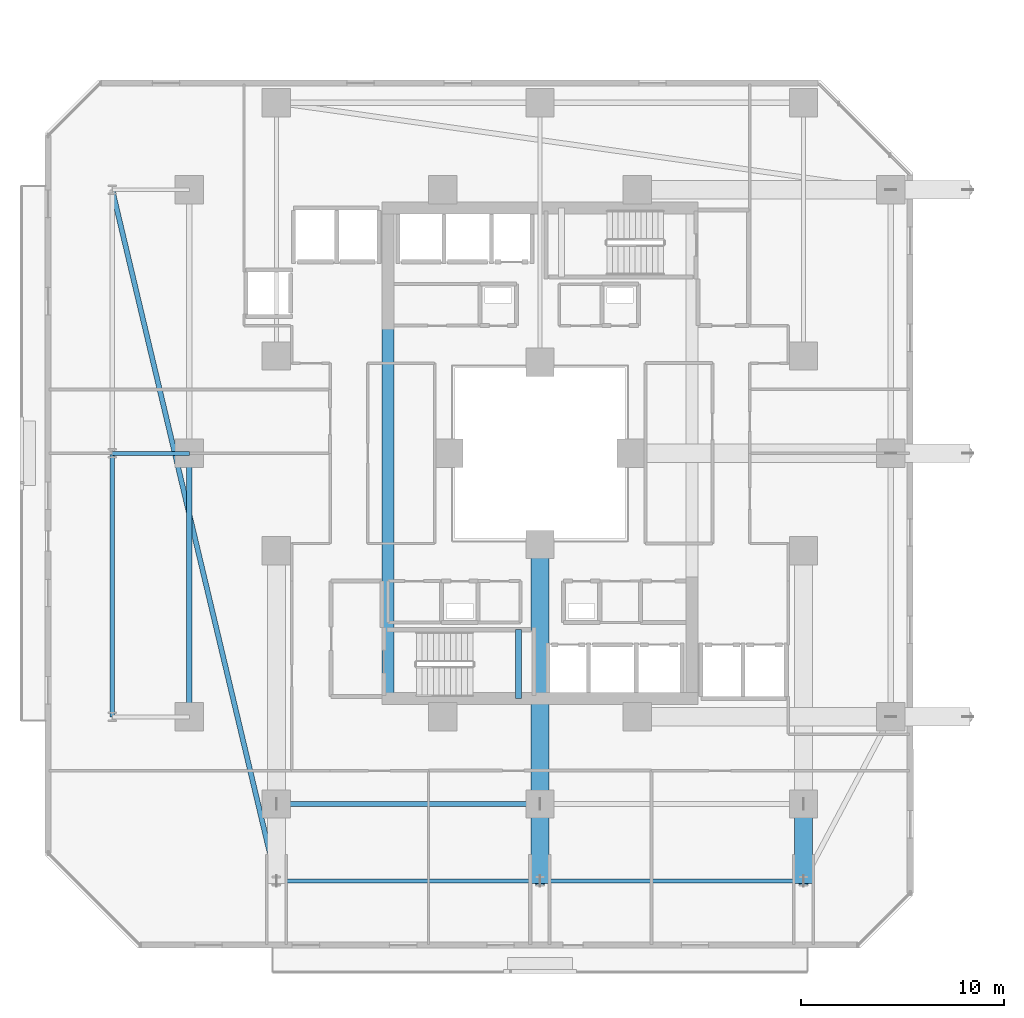
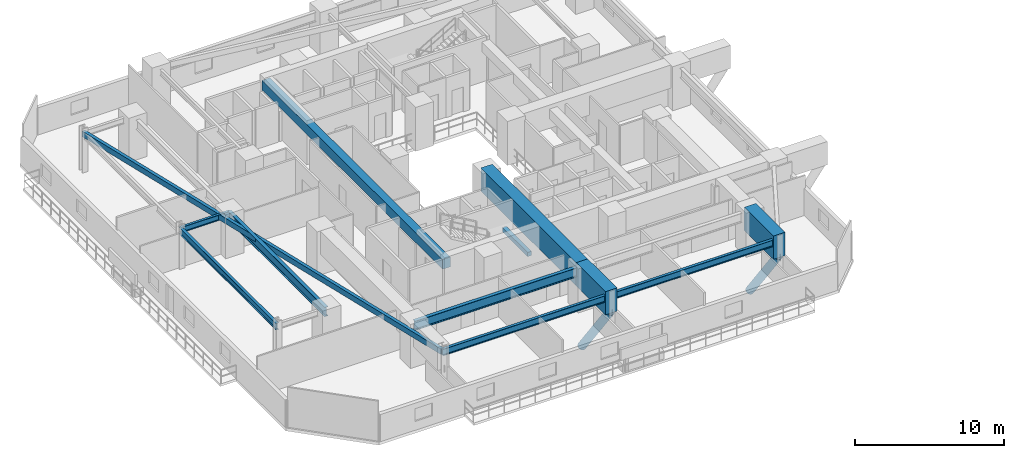
# One storey, part 4 of 36: 12 beams, 2 members.
"""IFC4 building model written with IfcOpenShell, lengths in metres."""

from ifc_helpers import new_model, si_unit, direction, frame, origin, origin_2d, place, context, subcontext, project, spatial, rectangle, hollow_rectangle, hollow_circle, i_section, extrude, material, material_profile, profile_set, type_object, element, save


model = new_model("IFC4")

# Units and contexts
model_context = context("Model", 3, precision=1e-05, world=origin(), true_north=direction((0.0, 1.0)))
body_context = subcontext(model_context, "Body", "Model", "MODEL_VIEW")
ifc_project = project(units=[si_unit("LENGTHUNIT", "METRE"), si_unit("AREAUNIT", "SQUARE_METRE"), si_unit("VOLUMEUNIT", "CUBIC_METRE"), si_unit("PLANEANGLEUNIT", "RADIAN"), si_unit("MASSUNIT", "GRAM", prefix="KILO")], contexts=[model_context])

# Site, building, storey
site_placement = place(None, origin())
site = spatial("IfcSite", under=ifc_project, at=site_placement, CompositionType="ELEMENT")
building_placement = place(site_placement, origin())
building = spatial("IfcBuilding", under=site, at=building_placement, Name="Thornwick Lancets Civic Towers", CompositionType="ELEMENT")
storey_placement = place(building_placement, frame((0.0, 0.0, 45.89990234375)))
storey = spatial("IfcBuildingStorey", under=building, at=storey_placement, Name="L11", CompositionType="ELEMENT", Elevation=45.89990234375)

# Beams
ifc_material_1 = material(Name="Concrete C60/75", Category="concrete")
ifc_material_profile_1 = material_profile(ifc_material_1, rectangle(XDim=0.60009765625, YDim=0.800048828125, at=origin_2d()), Name="RC 600x800")
ifc_profile_set_1 = profile_set([ifc_material_profile_1], Name="Concrete C60/75")
beam_type_1 = type_object("IfcBeamType", Name="BM_COUP_RC800", PredefinedType="BEAM", material=ifc_profile_set_1)
beam_1_placement = place(storey_placement, frame((18.0, 14.89990234375, 2.880126953125), z_axis=(0.0, 1.0, 0.0), x_axis=(-1.0, 0.0, 0.0)))
element("IfcBeam", 1, at=beam_1_placement, inside=storey, type_object=beam_type_1, Name="CB-L11-A2", PredefinedType="BEAM", context=body_context, shape_type="SweptSolid", body=[
    extrude(rectangle(XDim=0.60009765625, YDim=0.800048828125, at=origin_2d()), origin(), (0.0, 0.0, 1.0), 24.2001953125),
])
ifc_material_2 = material(Name="Steel S355JR", Category="steel")
ifc_material_profile_2 = material_profile(ifc_material_2, i_section(OverallWidth=0.2119140625, OverallDepth=0.54443359375, WebThickness=0.0126953125, FlangeThickness=0.021240234375, FilletRadius=0.0126953125, at=origin_2d()), Name="UKB 533x210x122")
ifc_profile_set_2 = profile_set([ifc_material_profile_2], Name="Steel S355JR")
beam_type_2 = type_object("IfcBeamType", Name="BM_EDGE_533_122", PredefinedType="SPANDREL", material=ifc_profile_set_2)
beam_2_placement = place(storey_placement, frame((12.5, 5.89990234375, 3.0078125), z_axis=(1.0, 0.0, 0.0), x_axis=(0.0, 1.0, 0.0)))
element("IfcBeam", 2, at=beam_2_placement, inside=storey, type_object=beam_type_2, Name="BM-EDGE-L11-A-S0-1", PredefinedType="SPANDREL", context=body_context, shape_type="SweptSolid", body=[
    extrude(i_section(OverallWidth=0.2119140625, OverallDepth=0.54443359375, WebThickness=0.0126953125, FlangeThickness=0.021240234375, FilletRadius=0.0126953125, at=origin_2d()), origin(), (0.0, 0.0, 1.0), 13.0),
])
beam_3_placement = place(storey_placement, frame((25.580078125, 5.89990234375, 3.0078125), z_axis=(1.0, 0.0, 0.0), x_axis=(0.0, 1.0, 0.0)))
element("IfcBeam", 3, at=beam_3_placement, inside=storey, type_object=beam_type_2, Name="BM-EDGE-L11-A-S0-2", PredefinedType="SPANDREL", context=body_context, shape_type="SweptSolid", body=[
    extrude(i_section(OverallWidth=0.2119140625, OverallDepth=0.54443359375, WebThickness=0.0126953125, FlangeThickness=0.021240234375, FilletRadius=0.0126953125, at=origin_2d()), origin(), (0.0, 0.0, 1.0), 12.919921875),
])
beam_4_placement = place(storey_placement, frame((4.39990234375, 14.0, 3.0078125), z_axis=(0.0, 1.0, 0.0), x_axis=(-1.0, 0.0, 0.0)))
element("IfcBeam", 4, at=beam_4_placement, inside=storey, type_object=beam_type_2, Name="BM-EDGE-L11-A-S3-1", PredefinedType="SPANDREL", context=body_context, shape_type="SweptSolid", body=[
    extrude(i_section(OverallWidth=0.2119140625, OverallDepth=0.54443359375, WebThickness=0.0126953125, FlangeThickness=0.021240234375, FilletRadius=0.0126953125, at=origin_2d()), origin(), (0.0, 0.0, 1.0), 13.0),
])
ifc_material_profile_3 = material_profile(ifc_material_2, i_section(OverallWidth=0.26806640625, OverallDepth=0.769775390625, WebThickness=0.015625, FlangeThickness=0.025390625, FilletRadius=0.0166015625, at=origin_2d()), Name="UKB 762x267x197")
ifc_profile_set_3 = profile_set([ifc_material_profile_3], Name="Steel S355JR")
beam_type_3 = type_object("IfcBeamType", Name="BM_GIRD_762_197", PredefinedType="BEAM", material=ifc_profile_set_3)
for number, where, z_axis, x_axis, name in (
    (5, (12.5, 9.699951171875, 2.895263671875), (1.0, 0.0, 0.0), (0.0, 1.0, 0.0), "BM-SPINE-L11-A-0-1"),
    (6, (8.199951171875, 14.0, 2.895263671875), (0.0, 1.0, 0.0), (-1.0, 0.0, 0.0), "BM-SPINE-L11-A-9-10"),
):
    element("IfcBeam", number, at=place(storey_placement, frame(where, z_axis=z_axis, x_axis=x_axis)), inside=storey, type_object=beam_type_3, Name=name, PredefinedType="BEAM", context=body_context, shape_type="SweptSolid", body=[
        extrude(i_section(OverallWidth=0.26806640625, OverallDepth=0.769775390625, WebThickness=0.015625, FlangeThickness=0.025390625, FilletRadius=0.0166015625, at=origin_2d()), origin(), (0.0, 0.0, 1.0), 13.0),
    ])
ifc_material_profile_4 = material_profile(ifc_material_2, i_section(OverallWidth=0.19189453125, OverallDepth=0.46337890625, WebThickness=0.010498046875, FlangeThickness=0.017578125, FilletRadius=0.01025390625, at=origin_2d()), Name="UKB 457x191x89")
ifc_profile_set_4 = profile_set([ifc_material_profile_4], Name="Steel S355JR")
beam_type_4 = type_object("IfcBeamType", Name="BM_JOIST_457_89", PredefinedType="JOIST", material=ifc_profile_set_4)
beam_5_placement = place(storey_placement, frame((8.199951171875, 27.0, 3.04833984375), z_axis=(-1.0, 0.0, 0.0), x_axis=(0.0, -1.0, 0.0)))
element("IfcBeam", 7, at=beam_5_placement, inside=storey, type_object=beam_type_4, Name="BM-RAD-L11-A11", PredefinedType="JOIST", context=body_context, shape_type="SweptSolid", body=[
    extrude(i_section(OverallWidth=0.19189453125, OverallDepth=0.46337890625, WebThickness=0.010498046875, FlangeThickness=0.017578125, FilletRadius=0.01025390625, at=origin_2d()), origin(), (0.0, 0.0, 1.0), 3.800048828125),
])
ifc_material_profile_5 = material_profile(ifc_material_2, hollow_rectangle(XDim=0.25, YDim=0.449951171875, WallThickness=0.01611328125, at=origin_2d()), Name="RHS 450x250x16")
ifc_profile_set_5 = profile_set([ifc_material_profile_5], Name="Steel S355JR")
beam_type_5 = type_object("IfcBeamType", Name="BM_RING_RHS450", PredefinedType="BEAM", material=ifc_profile_set_5)
beam_6_placement = place(storey_placement, frame((4.39990234375, 40.0, 3.05517578125), z_axis=(0.231108201875, -0.972928054394, 0.0), x_axis=(0.972928054394, 0.231108201875, 0.0)))
element("IfcBeam", 8, at=beam_6_placement, inside=storey, type_object=beam_type_5, Name="BM-CHAMF-L11-A-C3", PredefinedType="BEAM", context=body_context, shape_type="SweptSolid", body=[
    extrude(hollow_rectangle(XDim=0.25, YDim=0.449951171875, WallThickness=0.01611328125, at=origin_2d()), origin(), (0.0, 0.0, 1.0), 35.048828125),
])
ifc_material_3 = material(Name="Concrete C40/50", Category="concrete")
ifc_material_profile_6 = material_profile(ifc_material_3, rectangle(XDim=0.300048828125, YDim=0.35009765625, at=origin_2d()), Name="RC 300x350")
ifc_profile_set_6 = profile_set([ifc_material_profile_6], Name="Concrete C40/50")
beam_type_6 = type_object("IfcBeamType", Name="BM_STAIR_LDG", PredefinedType="BEAM", material=ifc_profile_set_6)
beam_7_placement = place(storey_placement, frame((24.43505859375, 14.89990234375, 1.378173828125), z_axis=(0.0, 1.0, 0.0), x_axis=(-1.0, 0.0, 0.0)))
element("IfcBeam", 9, at=beam_7_placement, inside=storey, type_object=beam_type_6, Name="L11 ST-A1 Landing Support Beam 1", PredefinedType="BEAM", context=body_context, shape_type="SweptSolid", body=[
    extrude(rectangle(XDim=0.300048828125, YDim=0.35009765625, at=origin_2d()), origin(), (0.0, 0.0, 1.0), 3.400146484375),
])
ifc_material_profile_7 = material_profile(ifc_material_1, rectangle(XDim=0.89990234375, YDim=1.89990234375, at=origin_2d()), Name="RC 900x1900")
ifc_profile_set_7 = profile_set([ifc_material_profile_7], Name="Concrete C60/75")
beam_type_7 = type_object("IfcBeamType", Name="BM_TR_RC1900", PredefinedType="BEAM", material=ifc_profile_set_7)
beam_8_placement = place(storey_placement, frame((25.5, 22.5, 2.650146484375), z_axis=(0.0, -1.0, 0.0), x_axis=(1.0, 0.0, 0.0)))
element("IfcBeam", 10, at=beam_8_placement, inside=storey, type_object=beam_type_7, Name="TG-BACK-L12-A02", PredefinedType="BEAM", context=body_context, shape_type="SweptSolid", body=[
    extrude(rectangle(XDim=0.89990234375, YDim=1.89990234375, at=origin_2d()), origin(), (0.0, 0.0, 1.0), 12.800048828125),
])
for number, where, z_axis, x_axis, name in (
    (11, (25.5, 9.699951171875, 2.650146484375), (0.0, -1.0, 0.0), (1.0, 0.0, 0.0), "TG-CANT-L12-A02"),
    (12, (38.5, 9.699951171875, 2.650146484375), (0.0, -1.0, 0.0), (1.0, 0.0, 0.0), "TG-CANT-L12-A03"),
):
    element("IfcBeam", number, at=place(storey_placement, frame(where, z_axis=z_axis, x_axis=x_axis)), inside=storey, type_object=beam_type_7, Name=name, PredefinedType="BEAM", context=body_context, shape_type="SweptSolid", body=[
        extrude(rectangle(XDim=0.89990234375, YDim=1.89990234375, at=origin_2d()), origin(), (0.0, 0.0, 1.0), 3.919921875),
    ])

# Members
ifc_material_4 = material(Name="Steel S460M", Category="steel")
ifc_material_profile_8 = material_profile(ifc_material_4, hollow_circle(Radius=0.304931640625, WallThickness=0.030029296875, at=origin_2d()), Name="CHS 610x30")
ifc_profile_set_8 = profile_set([ifc_material_profile_8], Name="Steel S460M")
member_type = type_object("IfcMemberType", Name="MEM_STRUT_CHS610", PredefinedType="STRUT", material=ifc_profile_set_8)
for number, where, z_axis, x_axis, name in (
    (13, (25.5, 9.699951171875, -3.349853515625), (0.0, -0.595241268987, 0.803547031414), (1.0, 0.0, 0.0), "L12 Jenga Transfer Raking Strut A02"),
    (14, (38.5, 9.699951171875, -3.349853515625), (0.0, -0.595241268987, 0.803547031414), (1.0, 0.0, 0.0), "L12 Jenga Transfer Raking Strut A03"),
):
    element("IfcMember", number, at=place(storey_placement, frame(where, z_axis=z_axis, x_axis=x_axis)), inside=storey, type_object=member_type, Name=name, PredefinedType="STRUT", context=body_context, shape_type="SweptSolid", body=[
        extrude(hollow_circle(Radius=0.304931640625, WallThickness=0.030029296875, at=origin_2d()), origin(), (0.0, 0.0, 1.0), 6.384033203125),
    ])

save(model, "model.ifc")
